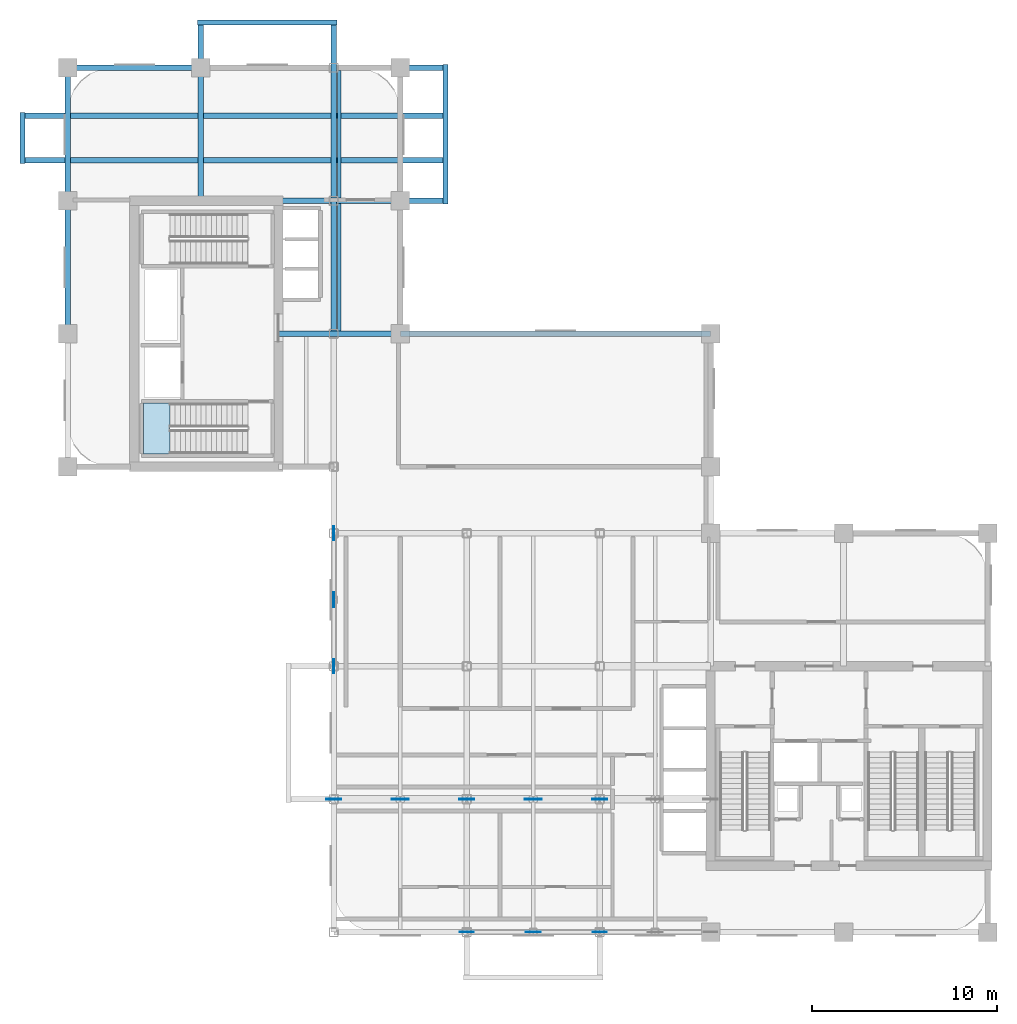
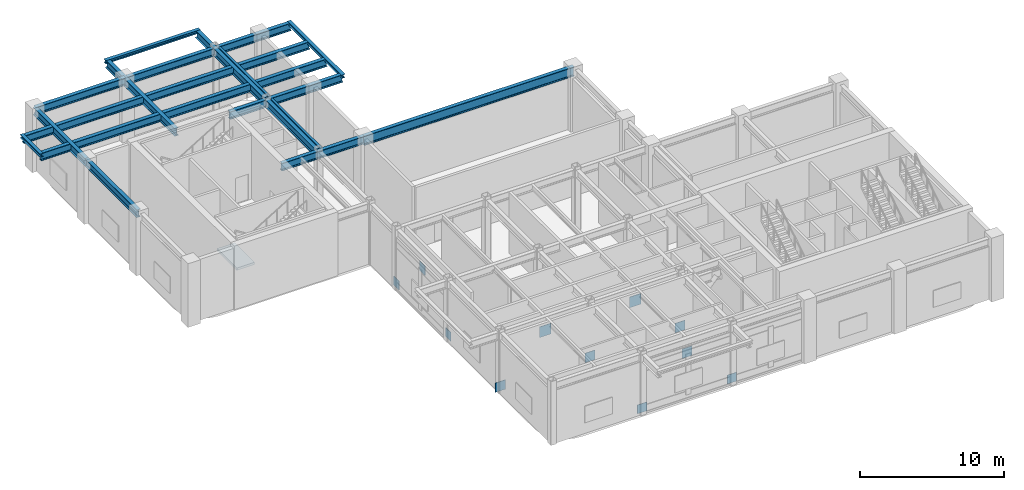
# One storey, part 3 of 10: 17 beams, 11 plates, 1 slab, 1 element without a shape of its own.
"""IFC4 building model written with IfcOpenShell, lengths in metres."""

import ifcopenshell
import ifcopenshell.guid

model = None  # the IFC model being written
_history = None  # IfcOwnerHistory: only IFC2X3 demands one
_inside = {}  # id of a spatial element -> (the spatial element, [elements in it])
_under = {}  # id of a project, library or spatial element -> (it, [spatial elements below it])
_declared = {}  # id of a project -> (the project, [libraries it declares])
_typed = {}  # id of a type object -> (the type object, [elements of that type])
_made_of = {}  # id of a material, layer set ... -> (it, [elements and type objects made of it])


def new_model(schema):
    """Start an empty IFC model of exactly this schema.

    Asked for "IFC4X3", IfcOpenShell would pick the latest addendum, in which some entities
    have other attributes; the version numbers below select the first issue.
    IFC2X3 requires an IfcOwnerHistory on every rooted entity: one is made here for all.
    """
    global model, _history
    if schema == "IFC4X3":
        model = ifcopenshell.file(schema_version=(4, 3, 0, 0))
    else:
        model = ifcopenshell.file(schema=schema)
    _inside.clear()
    _under.clear()
    _declared.clear()
    _typed.clear()
    _made_of.clear()
    _history = None
    if model.schema == "IFC2X3":
        org = make("IfcOrganization", Name="unknown")
        user = make(
            "IfcPersonAndOrganization",
            ThePerson=make("IfcPerson", FamilyName="unknown"),
            TheOrganization=org,
        )
        app = make(
            "IfcApplication",
            ApplicationDeveloper=org,
            Version="unknown",
            ApplicationFullName="unknown",
            ApplicationIdentifier="unknown",
        )
        _history = make(
            "IfcOwnerHistory",
            OwningUser=user,
            OwningApplication=app,
            ChangeAction="ADDED",
            CreationDate=0,
        )
    return model


def make(cls, **values):
    """One entity of the class cls with the attributes given. An attribute that is None is left unset."""
    return model.create_entity(
        cls, **{name: value for name, value in values.items() if value is not None}
    )


def rooted(cls, **values):
    """An entity with a GlobalId (a new one), such as an element, a storey or a relation."""
    return make(cls, GlobalId=ifcopenshell.guid.new(), OwnerHistory=_history, **values)


def si_unit(unit_type, name, prefix=None):
    """IfcSIUnit, for example si_unit("LENGTHUNIT", "METRE", prefix="MILLI")."""
    return make("IfcSIUnit", UnitType=unit_type, Prefix=prefix, Name=name)


def derived_unit(unit_type, elements):
    """IfcDerivedUnit: a product of units, each with its exponent."""
    return make(
        "IfcDerivedUnit",
        Elements=[
            make("IfcDerivedUnitElement", Unit=unit, Exponent=power)
            for unit, power in elements
        ],
        UnitType=unit_type,
    )


def assignment(units):
    """IfcUnitAssignment: the units of a project."""
    return None if units is None else make("IfcUnitAssignment", Units=units)


def point(xyz):
    """IfcCartesianPoint."""
    return None if xyz is None else make("IfcCartesianPoint", Coordinates=xyz)


def direction(xyz):
    """IfcDirection."""
    return None if xyz is None else make("IfcDirection", DirectionRatios=xyz)


def frame(location, z_axis=None, x_axis=None):
    """IfcAxis2Placement3D, a coordinate frame: its origin and axes. An axis left out is left unset."""
    return make(
        "IfcAxis2Placement3D",
        Location=point(location),
        Axis=direction(z_axis),
        RefDirection=direction(x_axis),
    )


def frame_2d(location, x_axis=None):
    """IfcAxis2Placement2D, a coordinate frame in the plane: its origin and x axis."""
    return make(
        "IfcAxis2Placement2D", Location=point(location), RefDirection=direction(x_axis)
    )


def origin():
    """The frame at (0, 0, 0) with its axes left unset."""
    return frame((0.0, 0.0, 0.0))


def origin_2d():
    """The frame at (0, 0) in the plane with its x axis left unset."""
    return frame_2d((0.0, 0.0))


def place(relative_to, where):
    """IfcLocalPlacement: puts the frame where relative to a parent placement (None: the world)."""
    return make(
        "IfcLocalPlacement", PlacementRelTo=relative_to, RelativePlacement=where
    )


def context(
    kind, dimensions, precision=None, world=None, true_north=None, identifier=None
):
    """IfcGeometricRepresentationContext, for example the 3D "Model" context."""
    return make(
        "IfcGeometricRepresentationContext",
        ContextIdentifier=identifier,
        ContextType=kind,
        CoordinateSpaceDimension=dimensions,
        Precision=precision,
        WorldCoordinateSystem=world,
        TrueNorth=true_north,
    )


def subcontext(parent, identifier, kind, view, scale=None):
    """IfcGeometricRepresentationSubContext, for example "Body" below "Model"."""
    return make(
        "IfcGeometricRepresentationSubContext",
        ContextIdentifier=identifier,
        ContextType=kind,
        ParentContext=parent,
        TargetScale=scale,
        TargetView=view,
    )


def project(units=None, contexts=None):
    """IfcProject with its units and contexts."""
    return rooted(
        "IfcProject",
        Name="project",
        RepresentationContexts=contexts,
        UnitsInContext=assignment(units),
    )


def spatial(cls, under=None, at=None, **own):
    """A site, building, storey or space (cls), placed at a placement, below another one or the project."""
    s = rooted(cls, ObjectPlacement=at, **own)
    if under is not None:
        _under.setdefault(under.id(), (under, []))[1].append(s)
    return s


def polyline(points):
    """IfcPolyline through the points."""
    return make("IfcPolyline", Points=[point(p) for p in points])


def profile(cls, at=None, kind="AREA", **sizes):
    """A parametric profile (cls). Its sizes go by their IFC names, for example OverallWidth=200.0."""
    return make(cls, ProfileType=kind, Position=at, **sizes)


def rectangle(**sizes):
    """IfcRectangleProfileDef."""
    return profile("IfcRectangleProfileDef", **sizes)


def i_section(**sizes):
    """IfcIShapeProfileDef."""
    return profile("IfcIShapeProfileDef", **sizes)


def outline(outer, holes=None, kind="AREA"):
    """IfcArbitraryClosedProfileDef: a profile drawn as a closed curve; with holes, ...WithVoids."""
    if holes is None:
        return make("IfcArbitraryClosedProfileDef", ProfileType=kind, OuterCurve=outer)
    return make(
        "IfcArbitraryProfileDefWithVoids",
        ProfileType=kind,
        OuterCurve=outer,
        InnerCurves=holes,
    )


def extrude(swept, where, along, depth):
    """IfcExtrudedAreaSolid: the profile swept, set in the frame where, extruded along a direction by depth."""
    return make(
        "IfcExtrudedAreaSolid",
        SweptArea=swept,
        Position=where,
        ExtrudedDirection=direction(along),
        Depth=depth,
    )


def shape(context_of_items, identifier, shape_type, items):
    """IfcShapeRepresentation: the items that make up one representation, for example the "Body"."""
    return make(
        "IfcShapeRepresentation",
        ContextOfItems=context_of_items,
        RepresentationIdentifier=identifier,
        RepresentationType=shape_type,
        Items=items,
    )


def source(mapping_origin, context_of_items, identifier, shape_type, items):
    """IfcRepresentationMap: a shape defined once, which mapped items show again and again."""
    return make(
        "IfcRepresentationMap",
        MappingOrigin=mapping_origin,
        MappedRepresentation=shape(context_of_items, identifier, shape_type, items),
    )


def transform(
    local_origin,
    x_axis=None,
    y_axis=None,
    z_axis=None,
    scale=None,
    scale2=None,
    scale3=None,
    uniform=True,
):
    """IfcCartesianTransformationOperator3D, or its non-uniform kind. x_axis, y_axis, z_axis: its Axis1, 2, 3."""
    if uniform:
        return make(
            "IfcCartesianTransformationOperator3D",
            Axis1=direction(x_axis),
            Axis2=direction(y_axis),
            LocalOrigin=point(local_origin),
            Scale=scale,
            Axis3=direction(z_axis),
        )
    return make(
        "IfcCartesianTransformationOperator3DnonUniform",
        Axis1=direction(x_axis),
        Axis2=direction(y_axis),
        LocalOrigin=point(local_origin),
        Scale=scale,
        Axis3=direction(z_axis),
        Scale2=scale2,
        Scale3=scale3,
    )


def mapped(mapping_source, mapping_target):
    """IfcMappedItem: shows the shape of a source again, moved by a transform."""
    return make(
        "IfcMappedItem", MappingSource=mapping_source, MappingTarget=mapping_target
    )


def material(Name=None, Category=None):
    """IfcMaterial."""
    return make("IfcMaterial", Name=Name, Category=Category)


def layer(
    of_material, thickness, ventilated=None, Name=None, Category=None, Priority=None
):
    """IfcMaterialLayer: one layer of a wall or slab, of a material (None: an air gap)."""
    return make(
        "IfcMaterialLayer",
        Material=of_material,
        LayerThickness=thickness,
        IsVentilated=ventilated,
        Name=Name,
        Category=Category,
        Priority=Priority,
    )


def layer_set(layers, Name=None):
    """IfcMaterialLayerSet."""
    return make("IfcMaterialLayerSet", MaterialLayers=layers, LayerSetName=Name)


def material_profile(
    of_material, cross_section, Name=None, Category=None, Priority=None
):
    """IfcMaterialProfile: a cross section and its material."""
    return make(
        "IfcMaterialProfile",
        Name=Name,
        Material=of_material,
        Profile=cross_section,
        Priority=Priority,
        Category=Category,
    )


def profile_set(profiles, Name=None, composite=None):
    """IfcMaterialProfileSet."""
    return make(
        "IfcMaterialProfileSet",
        Name=Name,
        MaterialProfiles=profiles,
        CompositeProfile=composite,
    )


def made_of(thing, what):
    """Note that an element or type object is made of a material, layer set ...; save() writes the relation."""
    if what is not None:
        _made_of.setdefault(what.id(), (what, []))[1].append(thing)
    return thing


def type_object(cls, material=None, **own):
    """A type object (cls), such as IfcWallType, which elements share."""
    return made_of(rooted(cls, **own), material)


def type_shapes(of_type, sources):
    """Give a type object the sources (RepresentationMaps) that its elements show as mapped items."""
    of_type.RepresentationMaps = sources


def element(
    cls,
    number,
    at=None,
    inside=None,
    cuts=None,
    type_object=None,
    material=None,
    context=None,
    identifier="Body",
    shape_type=None,
    held_by="IfcProductDefinitionShape",
    body=None,
    shapes=None,
    **own,
):
    """One element of the class cls, such as IfcWall. Its Tag is "e" and its number.

    at: its placement. inside: the storey or other place that contains it. cuts: it is an
    opening in that element (IfcRelVoidsElement). A single representation is given by context,
    identifier, shape_type and body (its items); several are given by shapes. held_by: the class
    of the entity that holds the representations. save() writes the other relations.
    """
    e = rooted(cls, Tag="e%d" % number, ObjectPlacement=at, **own)
    if body is not None:
        shapes = [shape(context, identifier, shape_type, body)]
    if shapes is not None:
        e.Representation = make(held_by, Representations=shapes)
    if inside is not None:
        _inside.setdefault(inside.id(), (inside, []))[1].append(e)
    if cuts is not None:
        rooted(
            "IfcRelVoidsElement", RelatingBuildingElement=cuts, RelatedOpeningElement=e
        )
    if type_object is not None:
        _typed.setdefault(type_object.id(), (type_object, []))[1].append(e)
    return made_of(e, material)


def aggregate(whole, parts):
    """IfcRelAggregates: a whole, such as a stair, and the parts it consists of."""
    return rooted("IfcRelAggregates", RelatingObject=whole, RelatedObjects=parts)


def save(model, path):
    """Write the relations noted so far, then the file.

    IfcRelAggregates (storeys below a building ...), IfcRelContainedInSpatialStructure (elements
    in a storey), IfcRelDefinesByType, IfcRelAssociatesMaterial and IfcRelDeclares: one each for
    every whole, place, type object, material and project.
    """
    for whole, parts in _under.values():
        aggregate(whole, parts)
    for where, things in _inside.values():
        rooted(
            "IfcRelContainedInSpatialStructure",
            RelatedElements=things,
            RelatingStructure=where,
        )
    for kind, things in _typed.values():
        rooted("IfcRelDefinesByType", RelatedObjects=things, RelatingType=kind)
    for what, things in _made_of.values():
        rooted("IfcRelAssociatesMaterial", RelatedObjects=things, RelatingMaterial=what)
    for by, libraries in _declared.values():
        rooted("IfcRelDeclares", RelatingContext=by, RelatedDefinitions=libraries)
    model.write(path)


model = new_model("IFC4")

# Units and contexts
model_context = context("Model", 3, precision=1e-05, world=origin(), true_north=direction((0.0, 1.0)))
body_context = subcontext(model_context, "Body", "Model", "MODEL_VIEW")
ifc_project = project(units=[si_unit("LENGTHUNIT", "METRE"), si_unit("AREAUNIT", "SQUARE_METRE"), si_unit("VOLUMEUNIT", "CUBIC_METRE"), si_unit("PLANEANGLEUNIT", "RADIAN"), si_unit("MASSUNIT", "GRAM", prefix="KILO"), si_unit("THERMODYNAMICTEMPERATUREUNIT", "KELVIN"), si_unit("POWERUNIT", "WATT"), derived_unit("THERMALTRANSMITTANCEUNIT", [(si_unit("POWERUNIT", "WATT"), 1), (si_unit("AREAUNIT", "SQUARE_METRE"), -1), (si_unit("THERMODYNAMICTEMPERATUREUNIT", "KELVIN"), -1)])], contexts=[model_context])

# Site, building, storey
site_placement = place(None, origin())
site = spatial("IfcSite", under=ifc_project, at=site_placement, CompositionType="ELEMENT")
building_placement = place(site_placement, origin())
building = spatial("IfcBuilding", under=site, at=building_placement, Name="Zahravan Archway Hotel and Residences", CompositionType="ELEMENT")
storey_placement = place(building_placement, frame((0.0, 0.0, 196.5)))
storey = spatial("IfcBuildingStorey", under=building, at=storey_placement, Name="L49", CompositionType="ELEMENT", Elevation=196.5)

# Beams
ifc_material_1 = material(Name="Structural Steel S355JR", Category="steel")
ifc_material_profile_1 = material_profile(ifc_material_1, i_section(OverallWidth=0.300048828125, OverallDepth=0.64990234375, WebThickness=0.01611328125, FlangeThickness=0.031005859375, FilletRadius=0.027099609375, at=origin_2d()), Name="HEB 650", Category="steel")
ifc_profile_set_1 = profile_set([ifc_material_profile_1], Name="Structural Steel S355JR")
beam_type_1 = type_object("IfcBeamType", Name="BM-PRI-HEB650", PredefinedType="BEAM", material=ifc_profile_set_1)
shared_shape_1 = source(origin(), body_context, "Body", "SweptSolid", [
    extrude(i_section(OverallWidth=0.300048828125, OverallDepth=0.64990234375, WebThickness=0.01611328125, FlangeThickness=0.031005859375, FilletRadius=0.027099609375, at=origin_2d()), origin(), (0.0, 0.0, 1.0), 7.2001953125),
])
type_shapes(beam_type_1, [shared_shape_1])
for number, where, z_axis, x_axis, name in (
    (1, (0.0, 32.39990234375, 4.824951171875), (0.0, 1.0, 0.0), (-1.0, 0.0, 0.0), "L49 Primary Girder NS-25"),
    (2, (14.39990234375, 32.39990234375, 4.824951171875), (0.0, 1.0, 0.0), (-1.0, 0.0, 0.0), "L49 Primary Girder NS-33"),
):
    element("IfcBeam", number, at=place(storey_placement, frame(where, z_axis=z_axis, x_axis=x_axis)), inside=storey, type_object=beam_type_1, Name=name, PredefinedType="BEAM", context=body_context, shape_type="MappedRepresentation", body=[
        mapped(shared_shape_1, transform((0.0, 0.0, 0.0), scale=1.0)),
    ])
shared_shape_2 = source(origin(), body_context, "Body", "SweptSolid", [
    extrude(i_section(OverallWidth=0.300048828125, OverallDepth=0.64990234375, WebThickness=0.01611328125, FlangeThickness=0.031005859375, FilletRadius=0.027099609375, at=origin_2d()), origin(), (0.0, 0.0, 1.0), 7.199951171875),
])
for number, where, z_axis, x_axis, name in (
    (3, (0.0, 46.800048828125, 4.824951171875), (1.0, 0.0, 0.0), (0.0, 1.0, 0.0), "L49 Primary Girder EW-20"),
    (4, (0.0, 39.60009765625, 4.824951171875), (0.0, 1.0, 0.0), (-1.0, 0.0, 0.0), "L49 Primary Girder NS-26"),
):
    element("IfcBeam", number, at=place(storey_placement, frame(where, z_axis=z_axis, x_axis=x_axis)), inside=storey, type_object=beam_type_1, Name=name, PredefinedType="BEAM", context=body_context, shape_type="MappedRepresentation", body=[
        mapped(shared_shape_2, transform((0.0, 0.0, 0.0), scale=1.0)),
    ])
shared_shape_3 = source(origin(), body_context, "Body", "SweptSolid", [
    extrude(i_section(OverallWidth=0.300048828125, OverallDepth=0.64990234375, WebThickness=0.01611328125, FlangeThickness=0.031005859375, FilletRadius=0.027099609375, at=origin_2d()), origin(), (0.0, 0.0, 1.0), 6.60009765625),
])
beam_1_placement = place(storey_placement, frame((11.39990234375, 32.39990234375, 4.824951171875), z_axis=(1.0, 0.0, 0.0), x_axis=(0.0, 1.0, 0.0)))
element("IfcBeam", 5, at=beam_1_placement, inside=storey, type_object=beam_type_1, Name="L49 Primary Girder EW-17", PredefinedType="BEAM", context=body_context, shape_type="MappedRepresentation", body=[
    mapped(shared_shape_3, transform((0.0, 0.0, 0.0), scale=1.0)),
])
shared_shape_4 = source(origin(), body_context, "Body", "SweptSolid", [
    extrude(i_section(OverallWidth=0.300048828125, OverallDepth=0.64990234375, WebThickness=0.01611328125, FlangeThickness=0.031005859375, FilletRadius=0.027099609375, at=origin_2d()), origin(), (0.0, 0.0, 1.0), 9.050048828125),
])
beam_2_placement = place(storey_placement, frame((11.39990234375, 39.60009765625, 4.824951171875), z_axis=(1.0, 0.0, 0.0), x_axis=(0.0, 1.0, 0.0)))
element("IfcBeam", 6, at=beam_2_placement, inside=storey, type_object=beam_type_1, Name="L49 Primary Girder EW-19", PredefinedType="BEAM", context=body_context, shape_type="MappedRepresentation", body=[
    mapped(shared_shape_4, transform((0.0, 0.0, 0.0), scale=1.0)),
])
shared_shape_5 = source(origin(), body_context, "Body", "SweptSolid", [
    extrude(i_section(OverallWidth=0.300048828125, OverallDepth=0.64990234375, WebThickness=0.01611328125, FlangeThickness=0.031005859375, FilletRadius=0.027099609375, at=origin_2d()), origin(), (0.0, 0.0, 1.0), 13.25),
])
beam_3_placement = place(storey_placement, frame((7.199951171875, 46.800048828125, 4.824951171875), z_axis=(1.0, 0.0, 0.0), x_axis=(0.0, 1.0, 0.0)))
element("IfcBeam", 7, at=beam_3_placement, inside=storey, type_object=beam_type_1, Name="L49 Primary Girder EW-21", PredefinedType="BEAM", context=body_context, shape_type="MappedRepresentation", body=[
    mapped(shared_shape_5, transform((0.0, 0.0, 0.0), scale=1.0)),
])
shared_shape_6 = source(origin(), body_context, "Body", "SweptSolid", [
    extrude(i_section(OverallWidth=0.300048828125, OverallDepth=0.64990234375, WebThickness=0.01611328125, FlangeThickness=0.031005859375, FilletRadius=0.027099609375, at=origin_2d()), origin(), (0.0, 0.0, 1.0), 22.89990234375),
])
for number, where, z_axis, x_axis, name in (
    (8, (-2.449951171875, 41.800048828125, 4.824951171875), (1.0, 0.0, 0.0), (0.0, 1.0, 0.0), "L49 Primary Girder EW-22"),
    (9, (-2.449951171875, 44.199951171875, 4.824951171875), (1.0, 0.0, 0.0), (0.0, 1.0, 0.0), "L49 Primary Girder EW-23"),
):
    element("IfcBeam", number, at=place(storey_placement, frame(where, z_axis=z_axis, x_axis=x_axis)), inside=storey, type_object=beam_type_1, Name=name, PredefinedType="BEAM", context=body_context, shape_type="MappedRepresentation", body=[
        mapped(shared_shape_6, transform((0.0, 0.0, 0.0), scale=1.0)),
    ])
ifc_material_profile_2 = material_profile(ifc_material_1, i_section(OverallWidth=0.280029296875, OverallDepth=0.280029296875, WebThickness=0.010498046875, FlangeThickness=0.01806640625, FilletRadius=0.02392578125, at=origin_2d()), Name="HEB 280", Category="steel")
ifc_profile_set_2 = profile_set([ifc_material_profile_2], Name="Structural Steel S355JR")
beam_type_2 = type_object("IfcBeamType", Name="BM-SPN-HEB280", PredefinedType="SPANDREL", material=ifc_profile_set_2)
shared_shape_7 = source(origin(), body_context, "Body", "SweptSolid", [
    extrude(i_section(OverallWidth=0.280029296875, OverallDepth=0.280029296875, WebThickness=0.010498046875, FlangeThickness=0.01806640625, FilletRadius=0.02392578125, at=origin_2d()), origin(), (0.0, 0.0, 1.0), 7.56005859375),
])
type_shapes(beam_type_2, [shared_shape_7])
for number, where, z_axis, x_axis, name in (
    (10, (20.449951171875, 39.419921875, 5.010009765625), (0.0, 1.0, 0.0), (-1.0, 0.0, 0.0), "L50 EB Balcony Edge Spandrel"),
    (11, (7.02001953125, 49.25, 5.010009765625), (1.0, 0.0, 0.0), (0.0, 1.0, 0.0), "L50 NB Balcony Edge Spandrel"),
):
    element("IfcBeam", number, at=place(storey_placement, frame(where, z_axis=z_axis, x_axis=x_axis)), inside=storey, type_object=beam_type_2, Name=name, PredefinedType="SPANDREL", context=body_context, shape_type="MappedRepresentation", body=[
        mapped(shared_shape_7, transform((0.0, 0.0, 0.0), scale=1.0)),
    ])
shared_shape_8 = source(origin(), body_context, "Body", "SweptSolid", [
    extrude(i_section(OverallWidth=0.280029296875, OverallDepth=0.280029296875, WebThickness=0.010498046875, FlangeThickness=0.01806640625, FilletRadius=0.02392578125, at=origin_2d()), origin(), (0.0, 0.0, 1.0), 2.759765625),
])
beam_4_placement = place(storey_placement, frame((-2.449951171875, 41.6201171875, 5.010009765625), z_axis=(0.0, 1.0, 0.0), x_axis=(-1.0, 0.0, 0.0)))
element("IfcBeam", 12, at=beam_4_placement, inside=storey, type_object=beam_type_2, Name="L50 WB Balcony Edge Spandrel", PredefinedType="SPANDREL", context=body_context, shape_type="MappedRepresentation", body=[
    mapped(shared_shape_8, transform((0.0, 0.0, 0.0), scale=1.0)),
])
shared_shape_9 = source(origin(), body_context, "Body", "SweptSolid", [
    extrude(i_section(OverallWidth=0.300048828125, OverallDepth=0.64990234375, WebThickness=0.01611328125, FlangeThickness=0.031005859375, FilletRadius=0.027099609375, at=origin_2d()), origin(), (0.0, 0.0, 1.0), 9.64990234375),
])
for number, where, z_axis, x_axis, name in (
    (13, (7.199951171875, 39.60009765625, 4.824951171875), (0.0, 1.0, 0.0), (-1.0, 0.0, 0.0), "L49 Primary Girder NS-27"),
    (14, (14.39990234375, 39.60009765625, 4.824951171875), (0.0, 1.0, 0.0), (-1.0, 0.0, 0.0), "L49 Primary Girder NS-34"),
):
    element("IfcBeam", number, at=place(storey_placement, frame(where, z_axis=z_axis, x_axis=x_axis)), inside=storey, type_object=beam_type_1, Name=name, PredefinedType="BEAM", context=body_context, shape_type="MappedRepresentation", body=[
        mapped(shared_shape_9, transform((0.0, 0.0, 0.0), scale=1.0)),
    ])
ifc_material_profile_3 = material_profile(ifc_material_1, i_section(OverallWidth=0.18994140625, OverallDepth=0.449951171875, WebThickness=0.009521484375, FlangeThickness=0.0146484375, FilletRadius=0.02099609375, at=origin_2d()), Name="IPE 450", Category="steel")
ifc_profile_set_3 = profile_set([ifc_material_profile_3], Name="Structural Steel S355JR")
beam_type_3 = type_object("IfcBeamType", Name="BM-JST-IPE450", PredefinedType="JOIST", material=ifc_profile_set_3)
shared_shape_10 = source(origin(), body_context, "Body", "SweptSolid", [
    extrude(i_section(OverallWidth=0.18994140625, OverallDepth=0.449951171875, WebThickness=0.009521484375, FlangeThickness=0.0146484375, FilletRadius=0.02099609375, at=origin_2d()), origin(), (0.0, 0.0, 1.0), 6.904052734375),
])
type_shapes(beam_type_3, [shared_shape_10])
beam_5_placement = place(storey_placement, frame((14.699951171875, 39.748046875, 4.925048828125), z_axis=(0.0, 1.0, 0.0), x_axis=(-1.0, 0.0, 0.0)))
element("IfcBeam", 15, at=beam_5_placement, inside=storey, type_object=beam_type_3, Name="L49 Composite Floor Joist 12", PredefinedType="JOIST", context=body_context, shape_type="MappedRepresentation", body=[
    mapped(shared_shape_10, transform((0.0, 0.0, 0.0), scale=1.0)),
])
shared_shape_11 = source(origin(), body_context, "Body", "SweptSolid", [
    extrude(i_section(OverallWidth=0.18994140625, OverallDepth=0.449951171875, WebThickness=0.009521484375, FlangeThickness=0.0146484375, FilletRadius=0.02099609375, at=origin_2d()), origin(), (0.0, 0.0, 1.0), 6.90380859375),
])
beam_6_placement = place(storey_placement, frame((14.699951171875, 32.548095703125, 4.925048828125), z_axis=(0.0, 1.0, 0.0), x_axis=(-1.0, 0.0, 0.0)))
element("IfcBeam", 16, at=beam_6_placement, inside=storey, type_object=beam_type_3, Name="L49 Composite Floor Joist 11", PredefinedType="JOIST", context=body_context, shape_type="MappedRepresentation", body=[
    mapped(shared_shape_11, transform((0.0, 0.0, 0.0), scale=1.0)),
])
ifc_material_2 = material(Name="Structural Steel S355J2", Category="steel")
ifc_material_profile_4 = material_profile(ifc_material_2, i_section(OverallWidth=0.300048828125, OverallDepth=0.800048828125, WebThickness=0.017578125, FlangeThickness=0.032958984375, FilletRadius=0.030029296875, at=origin_2d()), Name="HEB 800", Category="steel")
ifc_profile_set_4 = profile_set([ifc_material_profile_4], Name="Structural Steel S355J2")
beam_type_4 = type_object("IfcBeamType", Name="BM-PRI-HEB800", PredefinedType="BEAM", material=ifc_profile_set_4)
shared_shape_12 = source(origin(), body_context, "Body", "SweptSolid", [
    extrude(i_section(OverallWidth=0.300048828125, OverallDepth=0.800048828125, WebThickness=0.017578125, FlangeThickness=0.032958984375, FilletRadius=0.030029296875, at=origin_2d()), origin(), (0.0, 0.0, 1.0), 16.800048828125),
])
type_shapes(beam_type_4, [shared_shape_12])
beam_7_placement = place(storey_placement, frame((18.0, 32.39990234375, 4.75), z_axis=(1.0, 0.0, 0.0), x_axis=(0.0, 1.0, 0.0)))
element("IfcBeam", 17, at=beam_7_placement, inside=storey, type_object=beam_type_4, Name="L49 Primary Girder EW-18", PredefinedType="BEAM", context=body_context, shape_type="MappedRepresentation", body=[
    mapped(shared_shape_12, transform((0.0, 0.0, 0.0), scale=1.0)),
])

# Stair, slab
ifc_material_3 = material(Name="Concrete C50/60", Category="concrete")
stair_type = type_object("IfcStairType", Name="STR-CORE-1300", PredefinedType="HALF_TURN_STAIR", material=ifc_material_3)
stair_placement = place(storey_placement, origin())
stair = element("IfcStair", 18, at=stair_placement, inside=storey, type_object=stair_type, Name="L49 Core B Exit Stair 1", PredefinedType="HALF_TURN_STAIR")
ifc_layer_1 = layer(ifc_material_3, 0.199951171875, Name="Concrete C50/60", Category="concrete")
ifc_layer_set_1 = layer_set([ifc_layer_1], Name="Concrete C50/60")
slab_type = type_object("IfcSlabType", Name="SLB-LND-200", PredefinedType="LANDING", material=ifc_layer_set_1)
slab_placement = place(storey_placement, frame((0.0, 0.0, 2.5)))
slab = element("IfcSlab", 19, at=slab_placement, type_object=slab_type, Name="ST-B1 landing 1", PredefinedType="LANDING", context=body_context, shape_type="SweptSolid", body=[
    extrude(outline(polyline([(5.530029296875, 28.639892578125), (4.10009765625, 28.639892578125), (4.10009765625, 25.89990234375), (5.530029296875, 25.89990234375), (5.530029296875, 28.639892578125)])), origin(), (0.0, 0.0, 1.0), 0.199951171875),
])
aggregate(stair, [slab])

# Plates
ifc_layer_2 = layer(ifc_material_2, 0.035888671875, Name="Structural Steel S355J2", Category="steel")
ifc_layer_set_2 = layer_set([ifc_layer_2], Name="Structural Steel S355J2")
plate_type_1 = type_object("IfcPlateType", Name="PLT-GUS-ON2", PredefinedType="USERDEFINED", material=ifc_layer_set_2)
shared_shape_13 = source(origin(), body_context, "Body", "SweptSolid", [
    extrude(rectangle(XDim=0.800048828125, YDim=0.035888671875, at=origin_2d()), origin(), (0.0, 0.0, 1.0), 0.800048828125),
])
type_shapes(plate_type_1, [shared_shape_13])
for number, where, z_axis, x_axis, name in (
    (20, (14.39990234375, 7.199951171875, 0.0498046875), (0.0, 0.0, 1.0), (1.0, 0.0, 0.0), "L49 Outrigger End Gusset Plate ON2-1-L"),
    (21, (21.60009765625, 7.199951171875, 0.0498046875), (0.0, 0.0, 1.0), (1.0, 0.0, 0.0), "L49 Outrigger End Gusset Plate ON2-1-R"),
    (22, (28.800048828125, 7.199951171875, 0.0498046875), (0.0, 0.0, 1.0), (1.0, 0.0, 0.0), "L49 Outrigger End Gusset Plate ON2-2-R"),
):
    element("IfcPlate", number, at=place(storey_placement, frame(where, z_axis=z_axis, x_axis=x_axis)), inside=storey, type_object=plate_type_1, Name=name, ObjectType="GUSSET", PredefinedType="USERDEFINED", context=body_context, shape_type="MappedRepresentation", body=[
        mapped(shared_shape_13, transform((0.0, 0.0, 0.0), scale=1.0)),
    ])
ifc_layer_3 = layer(ifc_material_2, 0.035888671875, Name="Structural Steel S355J2", Category="steel")
ifc_layer_set_3 = layer_set([ifc_layer_3], Name="Structural Steel S355J2")
plate_type_2 = type_object("IfcPlateType", Name="PLT-GUS-ON1", PredefinedType="USERDEFINED", material=ifc_layer_set_3)
shared_shape_14 = source(origin(), body_context, "Body", "SweptSolid", [
    extrude(rectangle(XDim=0.89990234375, YDim=0.035888671875, at=origin_2d()), origin(), (0.0, 0.0, 1.0), 0.89990234375),
])
type_shapes(plate_type_2, [shared_shape_14])
for number, where, z_axis, x_axis, name in (
    (23, (18.0, 7.199951171875, 3.449951171875), (0.0, 0.0, 1.0), (1.0, 0.0, 0.0), "L49 Outrigger Apex Gusset Plate ON1-1"),
    (24, (25.199951171875, 7.199951171875, 3.449951171875), (0.0, 0.0, 1.0), (1.0, 0.0, 0.0), "L49 Outrigger Apex Gusset Plate ON1-2"),
):
    element("IfcPlate", number, at=place(storey_placement, frame(where, z_axis=z_axis, x_axis=x_axis)), inside=storey, type_object=plate_type_2, Name=name, ObjectType="GUSSET", PredefinedType="USERDEFINED", context=body_context, shape_type="MappedRepresentation", body=[
        mapped(shared_shape_14, transform((0.0, 0.0, 0.0), scale=1.0)),
    ])
ifc_layer_4 = layer(ifc_material_2, 0.031982421875, Name="Structural Steel S355J2", Category="steel")
ifc_layer_set_4 = layer_set([ifc_layer_4], Name="Structural Steel S355J2")
plate_type_3 = type_object("IfcPlateType", Name="PLT-GUS-BN1", PredefinedType="USERDEFINED", material=ifc_layer_set_4)
shared_shape_15 = source(origin(), body_context, "Body", "SweptSolid", [
    extrude(rectangle(XDim=0.800048828125, YDim=0.031982421875, at=origin_2d()), origin(), (0.0, 0.0, 1.0), 0.800048828125),
])
type_shapes(plate_type_3, [shared_shape_15])
for number, where, z_axis, x_axis, name in (
    (25, (25.199951171875, 0.0, 3.5), (0.0, 0.0, 1.0), (1.0, 0.0, 0.0), "L49 Belt Truss Gusset Plate BN1-1"),
    (26, (14.39990234375, 18.0, 3.5), (0.0, 0.0, 1.0), (0.0, 1.0, 0.0), "L49 Belt Truss Gusset Plate BN1-3"),
):
    element("IfcPlate", number, at=place(storey_placement, frame(where, z_axis=z_axis, x_axis=x_axis)), inside=storey, type_object=plate_type_3, Name=name, ObjectType="GUSSET", PredefinedType="USERDEFINED", context=body_context, shape_type="MappedRepresentation", body=[
        mapped(shared_shape_15, transform((0.0, 0.0, 0.0), scale=1.0)),
    ])
ifc_layer_5 = layer(ifc_material_2, 0.031982421875, Name="Structural Steel S355J2", Category="steel")
ifc_layer_set_5 = layer_set([ifc_layer_5], Name="Structural Steel S355J2")
plate_type_4 = type_object("IfcPlateType", Name="PLT-GUS-BN2", PredefinedType="USERDEFINED", material=ifc_layer_set_5)
shared_shape_16 = source(origin(), body_context, "Body", "SweptSolid", [
    extrude(rectangle(XDim=0.75, YDim=0.031982421875, at=origin_2d()), origin(), (0.0, 0.0, 1.0), 0.75),
])
type_shapes(plate_type_4, [shared_shape_16])
for number, where, z_axis, x_axis, name in (
    (27, (21.60009765625, 0.0, 0.074951171875), (0.0, 0.0, 1.0), (1.0, 0.0, 0.0), "L49 Belt Truss End Gusset Plate BN2-1-A"),
    (28, (28.800048828125, 0.0, 0.074951171875), (0.0, 0.0, 1.0), (1.0, 0.0, 0.0), "L49 Belt Truss End Gusset Plate BN2-1-B"),
    (29, (14.39990234375, 14.39990234375, 0.074951171875), (0.0, 0.0, 1.0), (0.0, 1.0, 0.0), "L49 Belt Truss End Gusset Plate BN2-3-A"),
    (30, (14.39990234375, 21.60009765625, 0.074951171875), (0.0, 0.0, 1.0), (0.0, 1.0, 0.0), "L49 Belt Truss End Gusset Plate BN2-3-B"),
):
    element("IfcPlate", number, at=place(storey_placement, frame(where, z_axis=z_axis, x_axis=x_axis)), inside=storey, type_object=plate_type_4, Name=name, ObjectType="GUSSET", PredefinedType="USERDEFINED", context=body_context, shape_type="MappedRepresentation", body=[
        mapped(shared_shape_16, transform((0.0, 0.0, 0.0), scale=1.0)),
    ])

save(model, "model.ifc")
